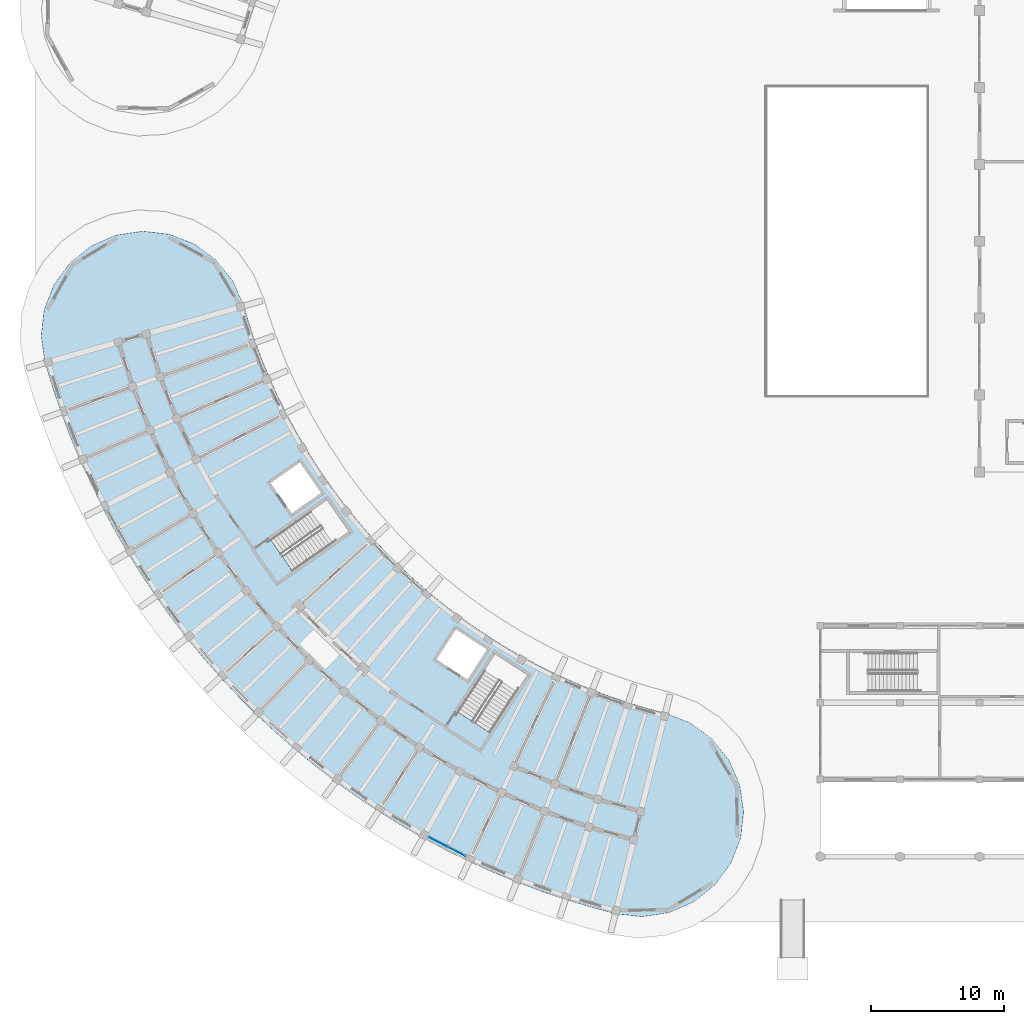
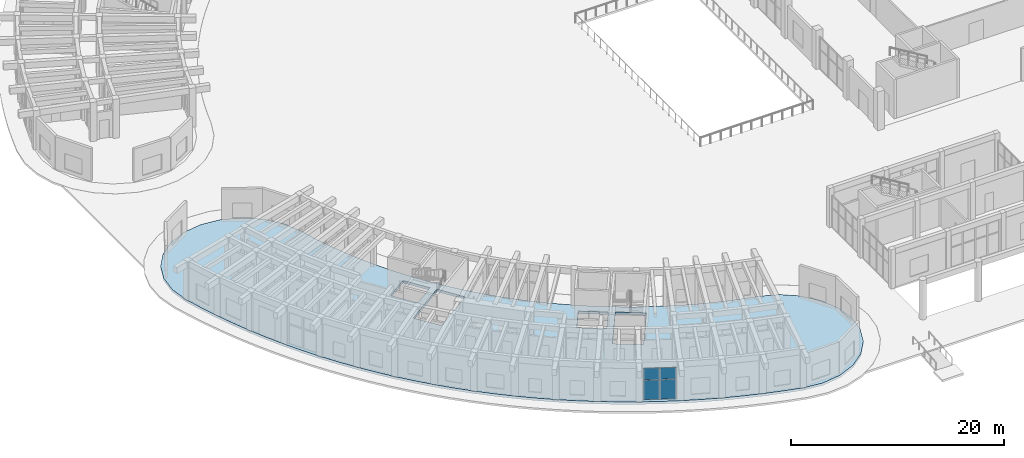
# One storey, part 68 of 132: 4 plates, 1 slab, 1 element without a shape of its own.
"""IFC4 building model written with IfcOpenShell, lengths in metres."""

from ifc_helpers import new_model, si_unit, direction, frame, origin, origin_2d, place, context, subcontext, project, spatial, polyline, rectangle, outline, extrude, material, layer, layer_set, type_object, element, aggregate, save


model = new_model("IFC4")

# Units and contexts
model_context = context("Model", 3, precision=1e-05, world=origin(), true_north=direction((0.0, 1.0)))
body_context = subcontext(model_context, "Body", "Model", "MODEL_VIEW")
ifc_project = project(units=[si_unit("LENGTHUNIT", "METRE"), si_unit("AREAUNIT", "SQUARE_METRE"), si_unit("VOLUMEUNIT", "CUBIC_METRE"), si_unit("PLANEANGLEUNIT", "RADIAN"), si_unit("MASSUNIT", "GRAM", prefix="KILO")], contexts=[model_context])

# Site, building, storey
site_placement = place(None, origin())
site = spatial("IfcSite", under=ifc_project, at=site_placement, CompositionType="ELEMENT")
building_placement = place(site_placement, origin())
building = spatial("IfcBuilding", under=site, at=building_placement, Name="Tanwirah Colonnade Gardens", CompositionType="ELEMENT")
storey_placement = place(building_placement, origin())
storey = spatial("IfcBuildingStorey", under=building, at=storey_placement, Name="L00", CompositionType="ELEMENT", Elevation=0.0)

# Curtain wall, plates
ifc_material_1 = material(Name="Bronze-anodised aluminium and solar-control low-E glass", Category="aluminium")
curtain_wall_type = type_object("IfcCurtainWallType", Name="CW-LOB", PredefinedType="NOTDEFINED", material=ifc_material_1)
curtain_wall_placement = place(storey_placement, origin())
curtain_wall = element("IfcCurtainWall", 1, at=curtain_wall_placement, inside=storey, type_object=curtain_wall_type, Name="Curtain Wall CW-C-L00-OUT-12", PredefinedType="NOTDEFINED")
ifc_material_2 = material(Name="Acoustic solar-control low-E double glazing", Category="glass")
ifc_layer_1 = layer(ifc_material_2, 0.031982421875)
ifc_layer_set_1 = layer_set([ifc_layer_1], Name="Acoustic solar-control low-E double glazing")
plate_type = type_object("IfcPlateType", Name="CWP-GLZ32", PredefinedType="CURTAIN_PANEL", material=ifc_layer_set_1)
plate_1_placement = place(storey_placement, frame((37.17236328125, 11.882080078125, 0.070068359375), z_axis=(0.0, 0.0, 1.0), x_axis=(0.890014111869, -0.455932978269, 0.0)))
plate_1 = element("IfcPlate", 2, at=plate_1_placement, type_object=plate_type, Name="CW-LOB panel 1.1", PredefinedType="CURTAIN_PANEL", context=body_context, shape_type="SweptSolid", body=[
    extrude(rectangle(XDim=1.4833984375, YDim=0.031982421875, at=origin_2d()), origin(), (0.0, 0.0, 1.0), 2.22314453125),
])
plate_2_placement = place(storey_placement, frame((37.17236328125, 11.882080078125, 2.36328125), z_axis=(0.0, 0.0, 1.0), x_axis=(0.890014111869, -0.455932978269, 0.0)))
plate_2 = element("IfcPlate", 3, at=plate_2_placement, type_object=plate_type, Name="CW-LOB panel 1.2", PredefinedType="CURTAIN_PANEL", context=body_context, shape_type="SweptSolid", body=[
    extrude(rectangle(XDim=1.4833984375, YDim=0.031982421875, at=origin_2d()), origin(), (0.0, 0.0, 1.0), 1.322021484375),
])
plate_3_placement = place(storey_placement, frame((38.554931640625, 11.173828125, 0.070068359375), z_axis=(0.0, 0.0, 1.0), x_axis=(0.890014111869, -0.455932978269, 0.0)))
plate_3 = element("IfcPlate", 4, at=plate_3_placement, type_object=plate_type, Name="CW-LOB panel 2.1", PredefinedType="CURTAIN_PANEL", context=body_context, shape_type="SweptSolid", body=[
    extrude(rectangle(XDim=1.4833984375, YDim=0.031982421875, at=origin_2d()), origin(), (0.0, 0.0, 1.0), 2.22314453125),
])
plate_4_placement = place(storey_placement, frame((38.554931640625, 11.173828125, 2.36328125), z_axis=(0.0, 0.0, 1.0), x_axis=(0.890014111869, -0.455932978269, 0.0)))
plate_4 = element("IfcPlate", 5, at=plate_4_placement, type_object=plate_type, Name="CW-LOB panel 2.2", PredefinedType="CURTAIN_PANEL", context=body_context, shape_type="SweptSolid", body=[
    extrude(rectangle(XDim=1.4833984375, YDim=0.031982421875, at=origin_2d()), origin(), (0.0, 0.0, 1.0), 1.322021484375),
])
aggregate(curtain_wall, [plate_1, plate_2, plate_3, plate_4])

# Slab
ifc_material_3 = material(Name="Concrete C45/55", Category="concrete")
ifc_layer_2 = layer(ifc_material_3, 0.280029296875)
ifc_layer_set_2 = layer_set([ifc_layer_2], Name="Concrete C45/55")
slab_type = type_object("IfcSlabType", Name="SL-POD-280", PredefinedType="FLOOR", material=ifc_layer_set_2)
slab_placement = place(storey_placement, frame((0.0, 0.0, -0.280029296875)))
element("IfcSlab", 6, at=slab_placement, inside=storey, type_object=slab_type, Name="Block C L00 Precast Composite Floor Slab", PredefinedType="FLOOR", context=body_context, shape_type="SweptSolid", body=[
    extrude(outline(polyline([(23.39990234375, 49.56396484375), (22.93359375, 50.93310546875), (22.51220703125, 52.31689453125), (21.7001953125, 54.18408203125), (20.4326171875, 55.777587890625), (18.7958984375, 56.98876953125), (16.9013671875, 57.735107421875), (14.878173828125, 57.965576171875), (12.864501953125, 57.664794921875), (10.9970703125, 56.852783203125), (9.403564453125, 55.585205078125), (8.1923828125, 53.948486328125), (7.446044921875, 52.053955078125), (7.215576171875, 50.03076171875), (7.5166015625, 48.016845703125), (8.086669921875, 46.14501953125), (8.7177734375, 44.29248046875), (9.408935546875, 42.4619140625), (10.159912109375, 40.65478515625), (10.969482421875, 38.873291015625), (11.836669921875, 37.119140625), (12.76123046875, 35.394287109375), (13.741455078125, 33.70068359375), (14.776611328125, 32.0400390625), (15.865478515625, 30.414306640625), (17.007080078125, 28.82470703125), (18.199951171875, 27.273681640625), (19.443115234375, 25.76220703125), (20.73486328125, 24.29248046875), (22.07421875, 22.86572265625), (23.45947265625, 21.4833984375), (24.88916015625, 20.1474609375), (26.36181640625, 18.858642578125), (27.875732421875, 17.618896484375), (29.4296875, 16.429443359375), (31.021484375, 15.291259765625), (32.649658203125, 14.205810546875), (34.312744140625, 13.17431640625), (36.00830078125, 12.19775390625), (37.735107421875, 11.277099609375), (39.4912109375, 10.41357421875), (41.2744140625, 9.60791015625), (43.083251953125, 8.861083984375), (44.91552734375, 8.173828125), (46.76904296875, 7.546630859375), (48.642333984375, 6.980712890625), (50.532958984375, 6.476318359375), (52.55615234375, 6.245849609375), (54.570068359375, 6.546875), (56.437255859375, 7.358642578125), (58.031005859375, 8.626220703125), (59.2421875, 10.26318359375), (59.98828125, 12.15771484375), (60.218994140625, 14.1806640625), (59.91796875, 16.194580078125), (59.10595703125, 18.06201171875), (57.83837890625, 19.655517578125), (56.20166015625, 20.86669921875), (54.30712890625, 21.613037109375), (52.90966796875, 21.98583984375), (51.52490234375, 22.404052734375), (50.15478515625, 22.867431640625), (48.800537109375, 23.37548828125), (47.4638671875, 23.927490234375), (46.145751953125, 24.523193359375), (44.84765625, 25.161376953125), (43.571533203125, 25.841796875), (42.318115234375, 26.563720703125), (41.0888671875, 27.326171875), (39.885498046875, 28.12841796875), (38.708740234375, 28.969482421875), (37.560302734375, 29.848876953125), (36.44140625, 30.76513671875), (35.352783203125, 31.717529296875), (34.296142578125, 32.705078125), (33.272216796875, 33.726806640625), (32.282470703125, 34.781494140625), (31.327392578125, 35.86767578125), (30.40869140625, 36.98486328125), (29.52685546875, 38.13134765625), (28.68310546875, 39.30615234375), (27.87841796875, 40.5078125), (27.11328125, 41.7353515625), (26.388671875, 42.987060546875), (25.705322265625, 44.261962890625), (25.064208984375, 45.55859375), (24.466064453125, 46.875244140625), (23.910888671875, 48.2109375), (23.39990234375, 49.56396484375)]), holes=[polyline([(24.5185546875, 34.71044921875), (28.775634765625, 37.69140625), (30.447021484375, 35.30419921875), (26.18994140625, 32.323486328125), (24.5185546875, 34.71044921875)]), polyline([(26.737060546875, 40.515869140625), (28.343017578125, 38.22216796875), (26.13134765625, 36.673583984375), (24.525390625, 38.967041015625), (26.737060546875, 40.515869140625)]), polyline([(43.900146484375, 24.486572265625), (41.069580078125, 20.1279296875), (38.625732421875, 21.715087890625), (41.4560546875, 26.073486328125), (43.900146484375, 24.486572265625)]), polyline([(39.385498046875, 24.13916015625), (37.037353515625, 25.664306640625), (38.5078125, 27.9287109375), (40.856201171875, 26.403564453125), (39.385498046875, 24.13916015625)])]), origin(), (0.0, 0.0, 1.0), 0.280029296875),
])

save(model, "model.ifc")
